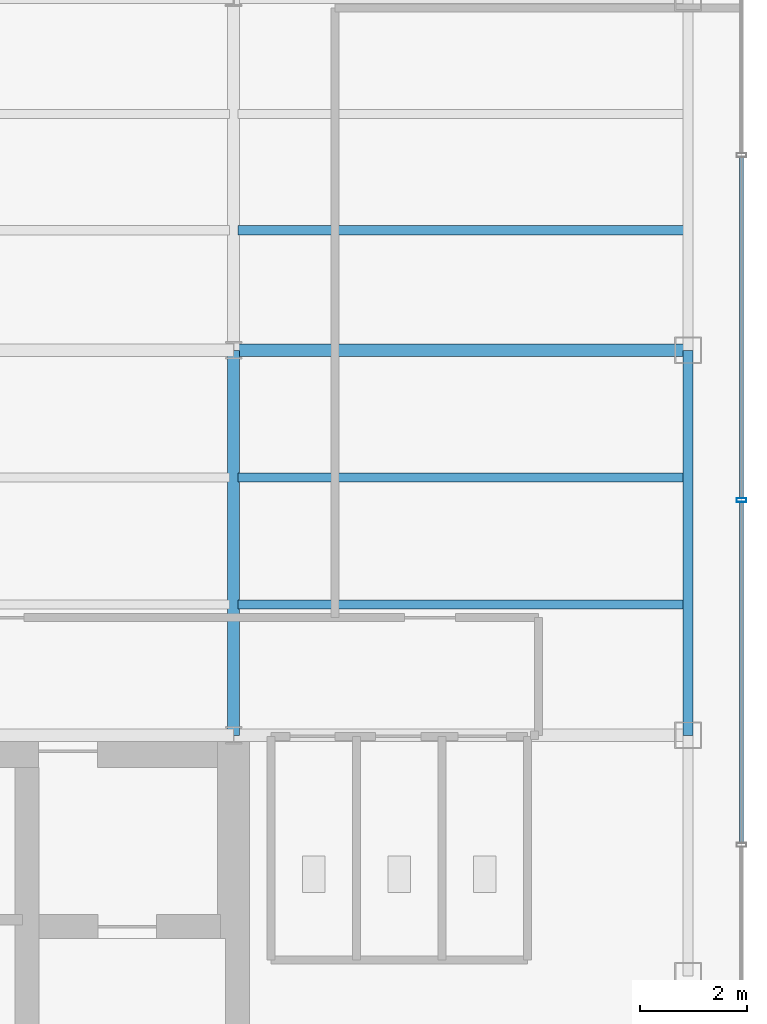
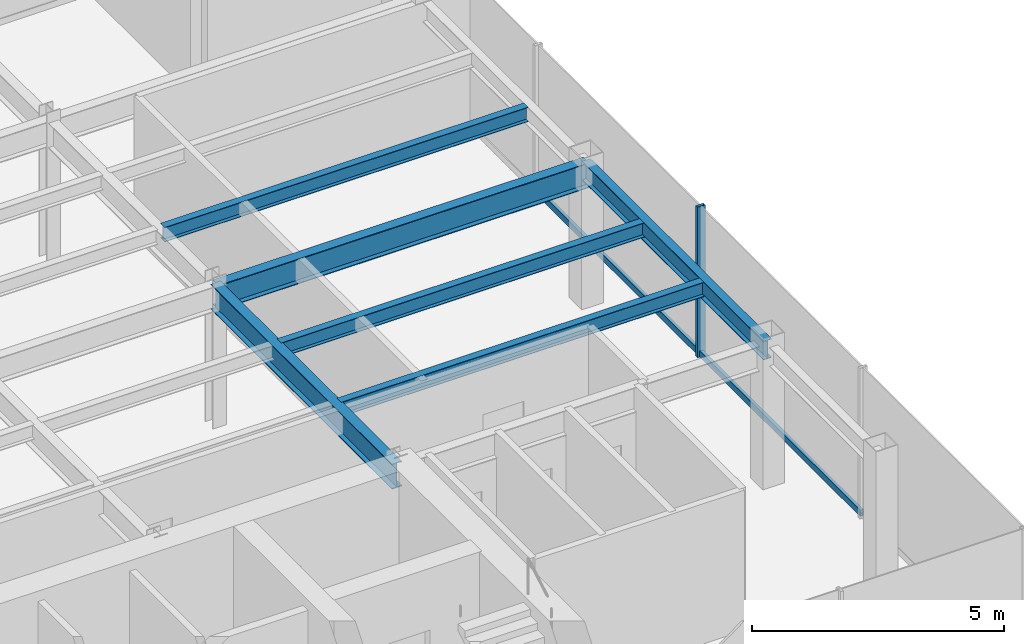
# One storey, part 10 of 22: 6 beams, 3 members, 1 element without a shape of its own.
"""IFC4 building model written with IfcOpenShell, lengths in metres."""

from ifc_helpers import new_model, si_unit, derived_unit, direction, frame, origin, origin_2d, place, context, subcontext, project, spatial, hollow_rectangle, i_section, extrude, source, transform, mapped, material, material_profile, profile_set, type_object, element, aggregate, save


model = new_model("IFC4")

# Units and contexts
model_context = context("Model", 3, precision=1e-05, world=origin(), true_north=direction((0.0, 1.0)))
body_context = subcontext(model_context, "Body", "Model", "MODEL_VIEW")
ifc_project = project(units=[si_unit("LENGTHUNIT", "METRE"), si_unit("AREAUNIT", "SQUARE_METRE"), si_unit("VOLUMEUNIT", "CUBIC_METRE"), si_unit("PLANEANGLEUNIT", "RADIAN"), si_unit("MASSUNIT", "GRAM", prefix="KILO"), derived_unit("THERMALTRANSMITTANCEUNIT", [(si_unit("POWERUNIT", "WATT"), 1), (si_unit("LENGTHUNIT", "METRE"), -2), (si_unit("THERMODYNAMICTEMPERATUREUNIT", "KELVIN"), -1)])], contexts=[model_context])

# Site, building, storey
site_placement = place(None, origin())
site = spatial("IfcSite", under=ifc_project, at=site_placement, CompositionType="ELEMENT")
building_placement = place(site_placement, origin())
building = spatial("IfcBuilding", under=site, at=building_placement, Name="Skarnbrae Concourse Arena and Tower", CompositionType="ELEMENT")
storey_placement = place(building_placement, frame((0.0, 0.0, 192.25)))
storey = spatial("IfcBuildingStorey", under=building, at=storey_placement, Name="L49", CompositionType="ELEMENT", Elevation=192.25)

# Beams
ifc_material_1 = material(Name="Steel CSA G40.21 350W", Category="steel")
ifc_material_profile_1 = material_profile(ifc_material_1, i_section(OverallWidth=0.22802734375, OverallDepth=0.60791015625, WebThickness=0.01123046875, FlangeThickness=0.017333984375, at=origin_2d()), Name="W610X113")
ifc_profile_set_1 = profile_set([ifc_material_profile_1], Name="Steel CSA G40.21 350W")
beam_type_1 = type_object("IfcBeamType", Name="BM-GIRD-W610X113", PredefinedType="BEAM", material=ifc_profile_set_1)
shared_shape_1 = source(origin(), body_context, "Body", "SweptSolid", [
    extrude(i_section(OverallWidth=0.22802734375, OverallDepth=0.60791015625, WebThickness=0.01123046875, FlangeThickness=0.017333984375, at=origin_2d()), origin(), (0.0, 0.0, 1.0), 8.5),
])
beam_1_placement = place(storey_placement, frame((33.5, 21.199951171875, 3.095947265625), z_axis=(1.0, 0.0, 0.0), x_axis=(0.0, 1.0, 0.0)))
element("IfcBeam", 1, at=beam_1_placement, inside=storey, type_object=beam_type_1, Name="L49 Primary E-W girder Y21.2-6", PredefinedType="BEAM", context=body_context, shape_type="MappedRepresentation", body=[
    mapped(shared_shape_1, transform((0.0, 0.0, 0.0))),
])
ifc_material_profile_2 = material_profile(ifc_material_1, i_section(OverallWidth=0.19091796875, OverallDepth=0.4599609375, WebThickness=0.010009765625, FlangeThickness=0.01611328125, at=origin_2d()), Name="W460X82")
ifc_profile_set_2 = profile_set([ifc_material_profile_2], Name="Steel CSA G40.21 350W")
beam_type_2 = type_object("IfcBeamType", Name="BM-SPAN-W460X82", PredefinedType="SPANDREL", material=ifc_profile_set_2)
shared_shape_2 = source(origin(), body_context, "Body", "SweptSolid", [
    extrude(i_section(OverallWidth=0.19091796875, OverallDepth=0.4599609375, WebThickness=0.010009765625, FlangeThickness=0.01611328125, at=origin_2d()), origin(), (0.0, 0.0, 1.0), 7.199951171875),
])
beam_2_placement = place(storey_placement, frame((42.0, 14.0, 3.169921875), z_axis=(0.0, 1.0, 0.0), x_axis=(-1.0, 0.0, 0.0)))
element("IfcBeam", 2, at=beam_2_placement, inside=storey, type_object=beam_type_2, Name="L49 Perimeter spandrel X42.0-2", PredefinedType="SPANDREL", context=body_context, shape_type="MappedRepresentation", body=[
    mapped(shared_shape_2, transform((0.0, 0.0, 0.0))),
])
shared_shape_3 = source(origin(), body_context, "Body", "SweptSolid", [
    extrude(i_section(OverallWidth=0.22802734375, OverallDepth=0.60791015625, WebThickness=0.01123046875, FlangeThickness=0.017333984375, at=origin_2d()), origin(), (0.0, 0.0, 1.0), 7.199951171875),
])
beam_3_placement = place(storey_placement, frame((33.5, 14.0, 3.095947265625), z_axis=(0.0, 1.0, 0.0), x_axis=(-1.0, 0.0, 0.0)))
element("IfcBeam", 3, at=beam_3_placement, inside=storey, type_object=beam_type_1, Name="L49 Primary N-S girder X33.5-1", PredefinedType="BEAM", context=body_context, shape_type="MappedRepresentation", body=[
    mapped(shared_shape_3, transform((0.0, 0.0, 0.0))),
])
ifc_material_profile_3 = material_profile(ifc_material_1, i_section(OverallWidth=0.1708984375, OverallDepth=0.35498046875, WebThickness=0.007080078125, FlangeThickness=0.01171875, at=origin_2d()), Name="W360X51")
ifc_profile_set_3 = profile_set([ifc_material_profile_3], Name="Steel CSA G40.21 350W")
beam_type_3 = type_object("IfcBeamType", Name="BM-JOIST-W360X51", PredefinedType="JOIST", material=ifc_profile_set_3)
shared_shape_4 = source(origin(), body_context, "Body", "SweptSolid", [
    extrude(i_section(OverallWidth=0.1708984375, OverallDepth=0.35498046875, WebThickness=0.007080078125, FlangeThickness=0.01171875, at=origin_2d()), origin(), (0.0, 0.0, 1.0), 8.33984375),
])
for number, where, z_axis, x_axis, name in (
    (4, (33.580078125, 16.447998046875, 3.222412109375), (1.0, 0.0, 0.0), (0.0, 1.0, 0.0), "L49 Secondary floor joist 1.1.6"),
    (5, (33.580078125, 18.823974609375, 3.222412109375), (1.0, 0.0, 0.0), (0.0, 1.0, 0.0), "L49 Secondary floor joist 1.2.6"),
    (6, (33.580078125, 23.444091796875, 3.222412109375), (1.0, 0.0, 0.0), (0.0, 1.0, 0.0), "L49 Secondary floor joist 2.1.6"),
):
    element("IfcBeam", number, at=place(storey_placement, frame(where, z_axis=z_axis, x_axis=x_axis)), inside=storey, type_object=beam_type_3, Name=name, PredefinedType="JOIST", context=body_context, shape_type="MappedRepresentation", body=[
        mapped(shared_shape_4, transform((0.0, 0.0, 0.0))),
    ])

# Curtain wall, members
ifc_material_2 = material(Name="Bronze anodised aluminium 6063-T6", Category="aluminium")
curtain_wall_type = type_object("IfcCurtainWallType", Name="CW-SYS-05-HIGHZONE", PredefinedType="USERDEFINED", material=ifc_material_2)
curtain_wall_placement = place(storey_placement, origin())
curtain_wall = element("IfcCurtainWall", 7, at=curtain_wall_placement, inside=storey, type_object=curtain_wall_type, Name="L49 Unitised curtain wall CW-L49-E04", ObjectType="UNITISED CURTAIN WALL", PredefinedType="USERDEFINED")
ifc_material_profile_4 = material_profile(ifc_material_2, hollow_rectangle(XDim=0.074951171875, YDim=0.179931640625, WallThickness=0.00390625, at=origin_2d()), Name="ALU-MULL-75X180")
ifc_profile_set_4 = profile_set([ifc_material_profile_4], Name="Bronze anodised aluminium 6063-T6")
member_type_1 = type_object("IfcMemberType", Name="CWM-CW-05", PredefinedType="MULLION", material=ifc_profile_set_4)
shared_shape_5 = source(origin(), body_context, "Body", "SweptSolid", [
    extrude(hollow_rectangle(XDim=0.074951171875, YDim=0.179931640625, WallThickness=0.00390625, at=origin_2d()), origin(), (0.0, 0.0, 1.0), 3.64990234375),
])
member_1_placement = place(storey_placement, frame((43.0, 18.39990234375, 0.0), z_axis=(0.0, 0.0, 1.0), x_axis=(0.0, 1.0, 0.0)))
member_1 = element("IfcMember", 8, at=member_1_placement, type_object=member_type_1, Name="CW-L49-E04 Mullion 3", PredefinedType="MULLION", context=body_context, shape_type="MappedRepresentation", body=[
    mapped(shared_shape_5, transform((0.0, 0.0, 0.0))),
])
ifc_material_profile_5 = material_profile(ifc_material_2, hollow_rectangle(XDim=0.074951171875, YDim=0.14990234375, WallThickness=0.00390625, at=origin_2d()), Name="ALU-TRAN-75X150")
ifc_profile_set_5 = profile_set([ifc_material_profile_5], Name="Bronze anodised aluminium 6063-T6")
member_type_2 = type_object("IfcMemberType", Name="CWT-CW-05", PredefinedType="USERDEFINED", material=ifc_profile_set_5)
shared_shape_6 = source(origin(), body_context, "Body", "SweptSolid", [
    extrude(hollow_rectangle(XDim=0.074951171875, YDim=0.14990234375, WallThickness=0.00390625, at=origin_2d()), origin(), (0.0, 0.0, 1.0), 6.375),
])
member_2_placement = place(storey_placement, frame((43.0, 11.987548828125, 0.074951171875), z_axis=(0.0, 1.0, 0.0), x_axis=(-1.0, 0.0, 0.0)))
member_2 = element("IfcMember", 9, at=member_2_placement, type_object=member_type_2, Name="CW-L49-E04 Transom 2", ObjectType="TRANSOM", PredefinedType="USERDEFINED", context=body_context, shape_type="MappedRepresentation", body=[
    mapped(shared_shape_6, transform((0.0, 0.0, 0.0))),
])
member_3_placement = place(storey_placement, frame((43.0, 18.4375, 0.074951171875), z_axis=(0.0, 1.0, 0.0), x_axis=(-1.0, 0.0, 0.0)))
member_3 = element("IfcMember", 10, at=member_3_placement, type_object=member_type_2, Name="CW-L49-E04 Transom 3", ObjectType="TRANSOM", PredefinedType="USERDEFINED", context=body_context, shape_type="MappedRepresentation", body=[
    mapped(shared_shape_6, transform((0.0, 0.0, 0.0))),
])
aggregate(curtain_wall, [member_1, member_2, member_3])

save(model, "model.ifc")
